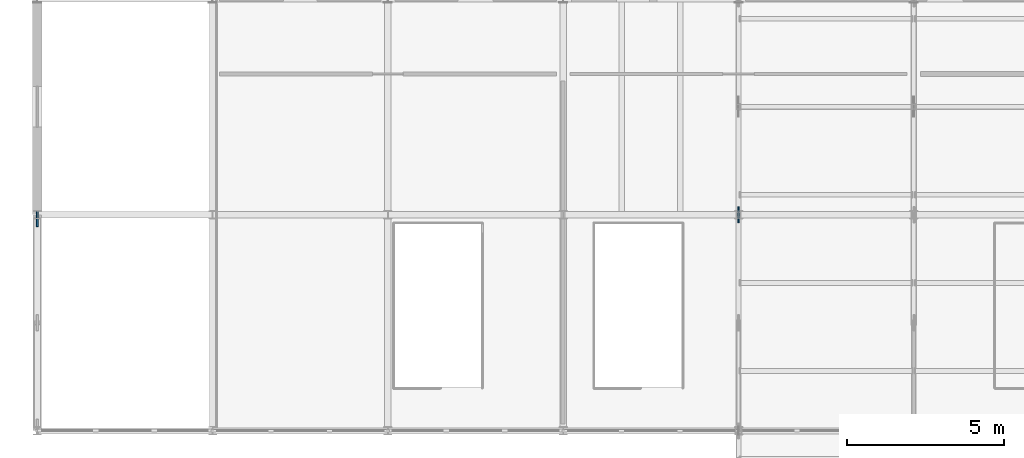
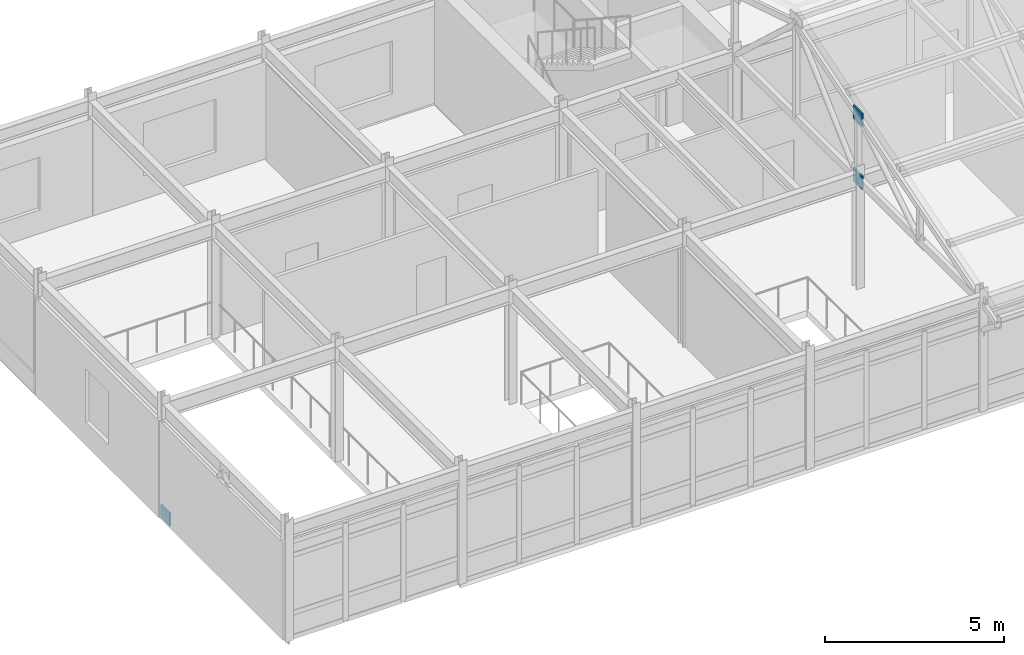
# One storey, part 122 of 144: 3 plates.
"""IFC4 building model written with IfcOpenShell, lengths in metres."""

import ifcopenshell
import ifcopenshell.guid

model = None  # the IFC model being written
_history = None  # IfcOwnerHistory: only IFC2X3 demands one
_inside = {}  # id of a spatial element -> (the spatial element, [elements in it])
_under = {}  # id of a project, library or spatial element -> (it, [spatial elements below it])
_declared = {}  # id of a project -> (the project, [libraries it declares])
_typed = {}  # id of a type object -> (the type object, [elements of that type])
_made_of = {}  # id of a material, layer set ... -> (it, [elements and type objects made of it])


def new_model(schema):
    """Start an empty IFC model of exactly this schema.

    Asked for "IFC4X3", IfcOpenShell would pick the latest addendum, in which some entities
    have other attributes; the version numbers below select the first issue.
    IFC2X3 requires an IfcOwnerHistory on every rooted entity: one is made here for all.
    """
    global model, _history
    if schema == "IFC4X3":
        model = ifcopenshell.file(schema_version=(4, 3, 0, 0))
    else:
        model = ifcopenshell.file(schema=schema)
    _inside.clear()
    _under.clear()
    _declared.clear()
    _typed.clear()
    _made_of.clear()
    _history = None
    if model.schema == "IFC2X3":
        org = make("IfcOrganization", Name="unknown")
        user = make(
            "IfcPersonAndOrganization",
            ThePerson=make("IfcPerson", FamilyName="unknown"),
            TheOrganization=org,
        )
        app = make(
            "IfcApplication",
            ApplicationDeveloper=org,
            Version="unknown",
            ApplicationFullName="unknown",
            ApplicationIdentifier="unknown",
        )
        _history = make(
            "IfcOwnerHistory",
            OwningUser=user,
            OwningApplication=app,
            ChangeAction="ADDED",
            CreationDate=0,
        )
    return model


def make(cls, **values):
    """One entity of the class cls with the attributes given. An attribute that is None is left unset."""
    return model.create_entity(
        cls, **{name: value for name, value in values.items() if value is not None}
    )


def rooted(cls, **values):
    """An entity with a GlobalId (a new one), such as an element, a storey or a relation."""
    return make(cls, GlobalId=ifcopenshell.guid.new(), OwnerHistory=_history, **values)


def si_unit(unit_type, name, prefix=None):
    """IfcSIUnit, for example si_unit("LENGTHUNIT", "METRE", prefix="MILLI")."""
    return make("IfcSIUnit", UnitType=unit_type, Prefix=prefix, Name=name)


def assignment(units):
    """IfcUnitAssignment: the units of a project."""
    return None if units is None else make("IfcUnitAssignment", Units=units)


def point(xyz):
    """IfcCartesianPoint."""
    return None if xyz is None else make("IfcCartesianPoint", Coordinates=xyz)


def direction(xyz):
    """IfcDirection."""
    return None if xyz is None else make("IfcDirection", DirectionRatios=xyz)


def frame(location, z_axis=None, x_axis=None):
    """IfcAxis2Placement3D, a coordinate frame: its origin and axes. An axis left out is left unset."""
    return make(
        "IfcAxis2Placement3D",
        Location=point(location),
        Axis=direction(z_axis),
        RefDirection=direction(x_axis),
    )


def frame_2d(location, x_axis=None):
    """IfcAxis2Placement2D, a coordinate frame in the plane: its origin and x axis."""
    return make(
        "IfcAxis2Placement2D", Location=point(location), RefDirection=direction(x_axis)
    )


def origin():
    """The frame at (0, 0, 0) with its axes left unset."""
    return frame((0.0, 0.0, 0.0))


def origin_2d():
    """The frame at (0, 0) in the plane with its x axis left unset."""
    return frame_2d((0.0, 0.0))


def place(relative_to, where):
    """IfcLocalPlacement: puts the frame where relative to a parent placement (None: the world)."""
    return make(
        "IfcLocalPlacement", PlacementRelTo=relative_to, RelativePlacement=where
    )


def context(
    kind, dimensions, precision=None, world=None, true_north=None, identifier=None
):
    """IfcGeometricRepresentationContext, for example the 3D "Model" context."""
    return make(
        "IfcGeometricRepresentationContext",
        ContextIdentifier=identifier,
        ContextType=kind,
        CoordinateSpaceDimension=dimensions,
        Precision=precision,
        WorldCoordinateSystem=world,
        TrueNorth=true_north,
    )


def subcontext(parent, identifier, kind, view, scale=None):
    """IfcGeometricRepresentationSubContext, for example "Body" below "Model"."""
    return make(
        "IfcGeometricRepresentationSubContext",
        ContextIdentifier=identifier,
        ContextType=kind,
        ParentContext=parent,
        TargetScale=scale,
        TargetView=view,
    )


def project(units=None, contexts=None):
    """IfcProject with its units and contexts."""
    return rooted(
        "IfcProject",
        Name="project",
        RepresentationContexts=contexts,
        UnitsInContext=assignment(units),
    )


def spatial(cls, under=None, at=None, **own):
    """A site, building, storey or space (cls), placed at a placement, below another one or the project."""
    s = rooted(cls, ObjectPlacement=at, **own)
    if under is not None:
        _under.setdefault(under.id(), (under, []))[1].append(s)
    return s


def profile(cls, at=None, kind="AREA", **sizes):
    """A parametric profile (cls). Its sizes go by their IFC names, for example OverallWidth=200.0."""
    return make(cls, ProfileType=kind, Position=at, **sizes)


def rectangle(**sizes):
    """IfcRectangleProfileDef."""
    return profile("IfcRectangleProfileDef", **sizes)


def extrude(swept, where, along, depth):
    """IfcExtrudedAreaSolid: the profile swept, set in the frame where, extruded along a direction by depth."""
    return make(
        "IfcExtrudedAreaSolid",
        SweptArea=swept,
        Position=where,
        ExtrudedDirection=direction(along),
        Depth=depth,
    )


def shape(context_of_items, identifier, shape_type, items):
    """IfcShapeRepresentation: the items that make up one representation, for example the "Body"."""
    return make(
        "IfcShapeRepresentation",
        ContextOfItems=context_of_items,
        RepresentationIdentifier=identifier,
        RepresentationType=shape_type,
        Items=items,
    )


def material(Name=None, Category=None):
    """IfcMaterial."""
    return make("IfcMaterial", Name=Name, Category=Category)


def layer(
    of_material, thickness, ventilated=None, Name=None, Category=None, Priority=None
):
    """IfcMaterialLayer: one layer of a wall or slab, of a material (None: an air gap)."""
    return make(
        "IfcMaterialLayer",
        Material=of_material,
        LayerThickness=thickness,
        IsVentilated=ventilated,
        Name=Name,
        Category=Category,
        Priority=Priority,
    )


def layer_set(layers, Name=None):
    """IfcMaterialLayerSet."""
    return make("IfcMaterialLayerSet", MaterialLayers=layers, LayerSetName=Name)


def made_of(thing, what):
    """Note that an element or type object is made of a material, layer set ...; save() writes the relation."""
    if what is not None:
        _made_of.setdefault(what.id(), (what, []))[1].append(thing)
    return thing


def type_object(cls, material=None, **own):
    """A type object (cls), such as IfcWallType, which elements share."""
    return made_of(rooted(cls, **own), material)


def element(
    cls,
    number,
    at=None,
    inside=None,
    cuts=None,
    type_object=None,
    material=None,
    context=None,
    identifier="Body",
    shape_type=None,
    held_by="IfcProductDefinitionShape",
    body=None,
    shapes=None,
    **own,
):
    """One element of the class cls, such as IfcWall. Its Tag is "e" and its number.

    at: its placement. inside: the storey or other place that contains it. cuts: it is an
    opening in that element (IfcRelVoidsElement). A single representation is given by context,
    identifier, shape_type and body (its items); several are given by shapes. held_by: the class
    of the entity that holds the representations. save() writes the other relations.
    """
    e = rooted(cls, Tag="e%d" % number, ObjectPlacement=at, **own)
    if body is not None:
        shapes = [shape(context, identifier, shape_type, body)]
    if shapes is not None:
        e.Representation = make(held_by, Representations=shapes)
    if inside is not None:
        _inside.setdefault(inside.id(), (inside, []))[1].append(e)
    if cuts is not None:
        rooted(
            "IfcRelVoidsElement", RelatingBuildingElement=cuts, RelatedOpeningElement=e
        )
    if type_object is not None:
        _typed.setdefault(type_object.id(), (type_object, []))[1].append(e)
    return made_of(e, material)


def aggregate(whole, parts):
    """IfcRelAggregates: a whole, such as a stair, and the parts it consists of."""
    return rooted("IfcRelAggregates", RelatingObject=whole, RelatedObjects=parts)


def save(model, path):
    """Write the relations noted so far, then the file.

    IfcRelAggregates (storeys below a building ...), IfcRelContainedInSpatialStructure (elements
    in a storey), IfcRelDefinesByType, IfcRelAssociatesMaterial and IfcRelDeclares: one each for
    every whole, place, type object, material and project.
    """
    for whole, parts in _under.values():
        aggregate(whole, parts)
    for where, things in _inside.values():
        rooted(
            "IfcRelContainedInSpatialStructure",
            RelatedElements=things,
            RelatingStructure=where,
        )
    for kind, things in _typed.values():
        rooted("IfcRelDefinesByType", RelatedObjects=things, RelatingType=kind)
    for what, things in _made_of.values():
        rooted("IfcRelAssociatesMaterial", RelatedObjects=things, RelatingMaterial=what)
    for by, libraries in _declared.values():
        rooted("IfcRelDeclares", RelatingContext=by, RelatedDefinitions=libraries)
    model.write(path)


model = new_model("IFC4")

# Units and contexts
model_context = context("Model", 3, precision=1e-05, world=origin(), true_north=direction((0.0, 1.0)))
body_context = subcontext(model_context, "Body", "Model", "MODEL_VIEW")
ifc_project = project(units=[si_unit("LENGTHUNIT", "METRE"), si_unit("AREAUNIT", "SQUARE_METRE"), si_unit("VOLUMEUNIT", "CUBIC_METRE"), si_unit("PLANEANGLEUNIT", "RADIAN"), si_unit("MASSUNIT", "GRAM", prefix="KILO")], contexts=[model_context])

# Site, building, storey
site_placement = place(None, origin())
site = spatial("IfcSite", under=ifc_project, at=site_placement, CompositionType="ELEMENT")
building_placement = place(site_placement, origin())
building = spatial("IfcBuilding", under=site, at=building_placement, Name="Trelmorton Wharf Fire Station", CompositionType="ELEMENT")
storey_placement = place(building_placement, frame((0.0, 0.0, 5.39990234375)))
storey = spatial("IfcBuildingStorey", under=building, at=storey_placement, Name="L01", CompositionType="ELEMENT", Elevation=5.39990234375)

# Plates
ifc_material = material(Name="Steel Grade 350", Category="steel")
ifc_layer = layer(ifc_material, 0.050048828125)
ifc_layer_set = layer_set([ifc_layer], Name="Steel Grade 350")
plate_type = type_object("IfcPlateType", Name="PL_GUSSET_TN2", PredefinedType="USERDEFINED", material=ifc_layer_set)
for number, where, z_axis, x_axis, name in (
    (1, (23.199951171875, 67.199951171875, 5.59228515625), (0.0, 0.0, 1.0), (1.0, 0.0, 0.0), "PL-TN-0297"),
    (2, (23.199951171875, 67.199951171875, 3.458984375), (0.0, 0.0, 1.0), (1.0, 0.0, 0.0), "PL-TN-0298"),
    (3, (0.800048828125, 67.072998046875, -0.10498046875), (0.0, 0.0, 1.0), (1.0, 0.0, 0.0), "PL-CBF-0398"),
):
    element("IfcPlate", number, at=place(storey_placement, frame(where, z_axis=z_axis, x_axis=x_axis)), inside=storey, type_object=plate_type, Name=name, ObjectType="GUSSET PLATE", PredefinedType="USERDEFINED", context=body_context, shape_type="SweptSolid", body=[
        extrude(rectangle(XDim=0.050048828125, YDim=0.5, at=origin_2d()), origin(), (0.0, 0.0, 1.0), 0.449951171875),
    ])

save(model, "model.ifc")
